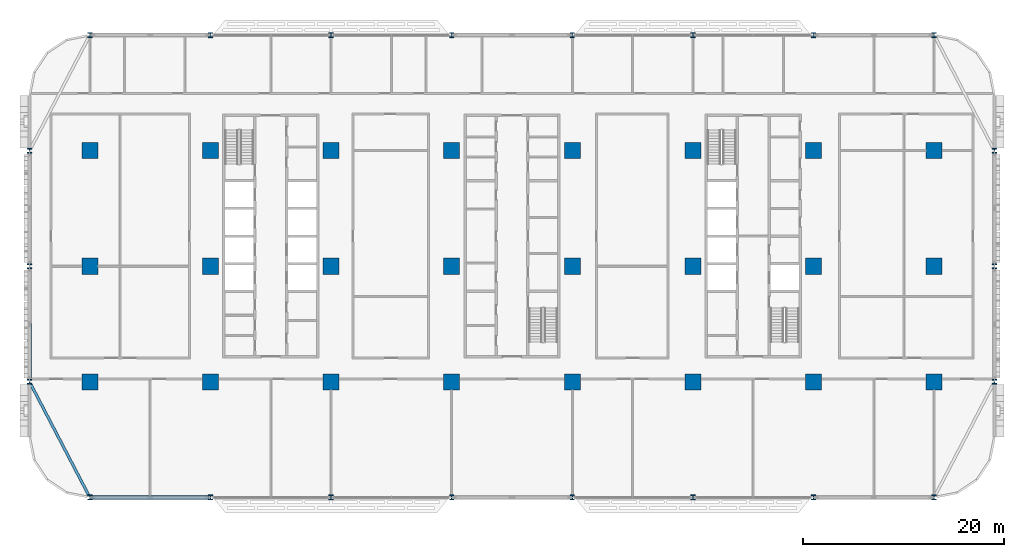
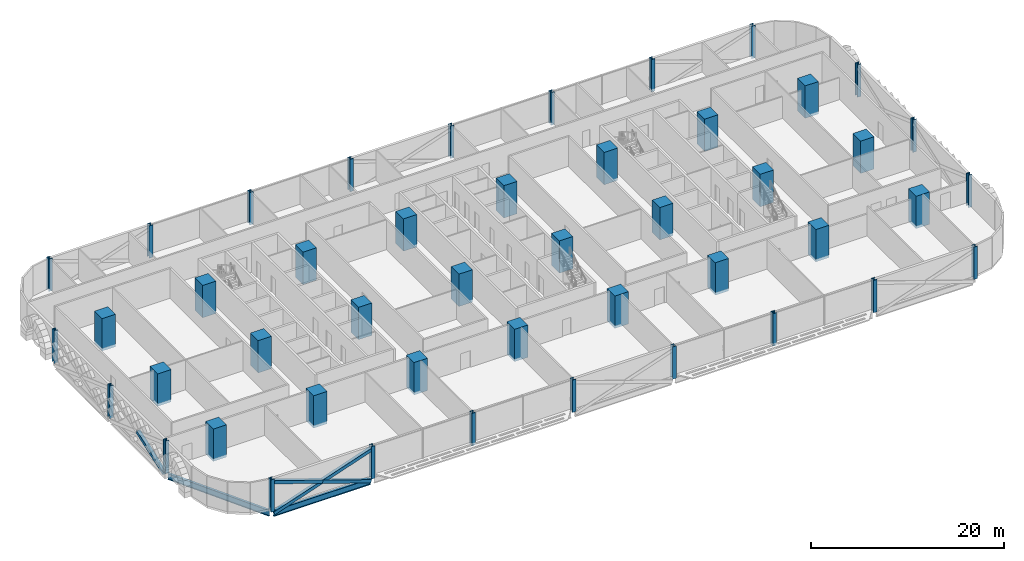
# One storey, part 1 of 29: 46 columns, 4 members, 2 beams.
"""IFC4 building model written with IfcOpenShell, lengths in metres."""

from ifc_helpers import new_model, si_unit, direction, frame, origin, origin_2d, place, context, subcontext, project, spatial, rectangle, hollow_rectangle, i_section, extrude, material, material_profile, profile_set, type_object, element, save


model = new_model("IFC4")

# Units and contexts
model_context = context("Model", 3, precision=1e-05, world=origin(), true_north=direction((0.0, 1.0)))
body_context = subcontext(model_context, "Body", "Model", "MODEL_VIEW")
ifc_project = project(units=[si_unit("LENGTHUNIT", "METRE"), si_unit("AREAUNIT", "SQUARE_METRE"), si_unit("VOLUMEUNIT", "CUBIC_METRE"), si_unit("PLANEANGLEUNIT", "RADIAN"), si_unit("MASSUNIT", "GRAM", prefix="KILO")], contexts=[model_context])

# Site, building, storey
site_placement = place(None, origin())
site = spatial("IfcSite", under=ifc_project, at=site_placement, CompositionType="ELEMENT")
building_placement = place(site_placement, origin())
building = spatial("IfcBuilding", under=site, at=building_placement, Name="Mahtab Terrace Research Tower", CompositionType="ELEMENT")
storey_placement = place(building_placement, frame((0.0, 0.0, 37.300048828125)))
storey = spatial("IfcBuildingStorey", under=building, at=storey_placement, Name="L08", CompositionType="ELEMENT", Elevation=37.300048828125)

# Columns
ifc_material_1 = material(Name="Concrete C70/85", Category="concrete")
ifc_material_profile_1 = material_profile(ifc_material_1, rectangle(XDim=1.60009765625, YDim=1.60009765625, at=origin_2d()), Name="RC column 1600x1600")
ifc_profile_set_1 = profile_set([ifc_material_profile_1], Name="Concrete C70/85")
column_type_1 = type_object("IfcColumnType", Name="RC column 1600x1600", PredefinedType="COLUMN", material=ifc_profile_set_1)
for number, where, z_axis, x_axis, name in (
    (1, (-42.0, -11.5, -0.340087890625), (0.0, 0.0, 1.0), (1.0, 0.0, 0.0), "Column RC-1A L08"),
    (2, (-42.0, 0.0, -0.340087890625), (0.0, 0.0, 1.0), (1.0, 0.0, 0.0), "Column RC-1B L08"),
    (3, (-42.0, 11.5, -0.340087890625), (0.0, 0.0, 1.0), (1.0, 0.0, 0.0), "Column RC-1C L08"),
    (4, (-30.0, -11.5, -0.340087890625), (0.0, 0.0, 1.0), (1.0, 0.0, 0.0), "Column RC-2A L08"),
    (5, (-30.0, 0.0, -0.340087890625), (0.0, 0.0, 1.0), (1.0, 0.0, 0.0), "Column RC-2B L08"),
    (6, (-30.0, 11.5, -0.340087890625), (0.0, 0.0, 1.0), (1.0, 0.0, 0.0), "Column RC-2C L08"),
    (7, (-18.0, -11.5, -0.340087890625), (0.0, 0.0, 1.0), (1.0, 0.0, 0.0), "Column RC-3A L08"),
    (8, (-18.0, 0.0, -0.340087890625), (0.0, 0.0, 1.0), (1.0, 0.0, 0.0), "Column RC-3B L08"),
    (9, (-18.0, 11.5, -0.340087890625), (0.0, 0.0, 1.0), (1.0, 0.0, 0.0), "Column RC-3C L08"),
    (10, (-6.0, -11.5, -0.340087890625), (0.0, 0.0, 1.0), (1.0, 0.0, 0.0), "Column RC-4A L08"),
    (11, (-6.0, 0.0, -0.340087890625), (0.0, 0.0, 1.0), (1.0, 0.0, 0.0), "Column RC-4B L08"),
    (12, (-6.0, 11.5, -0.340087890625), (0.0, 0.0, 1.0), (1.0, 0.0, 0.0), "Column RC-4C L08"),
    (13, (6.0, -11.5, -0.340087890625), (0.0, 0.0, 1.0), (1.0, 0.0, 0.0), "Column RC-5A L08"),
    (14, (6.0, 0.0, -0.340087890625), (0.0, 0.0, 1.0), (1.0, 0.0, 0.0), "Column RC-5B L08"),
    (15, (6.0, 11.5, -0.340087890625), (0.0, 0.0, 1.0), (1.0, 0.0, 0.0), "Column RC-5C L08"),
    (16, (18.0, -11.5, -0.340087890625), (0.0, 0.0, 1.0), (1.0, 0.0, 0.0), "Column RC-6A L08"),
    (17, (18.0, 0.0, -0.340087890625), (0.0, 0.0, 1.0), (1.0, 0.0, 0.0), "Column RC-6B L08"),
    (18, (18.0, 11.5, -0.340087890625), (0.0, 0.0, 1.0), (1.0, 0.0, 0.0), "Column RC-6C L08"),
    (19, (30.0, -11.5, -0.340087890625), (0.0, 0.0, 1.0), (1.0, 0.0, 0.0), "Column RC-7A L08"),
    (20, (30.0, 0.0, -0.340087890625), (0.0, 0.0, 1.0), (1.0, 0.0, 0.0), "Column RC-7B L08"),
    (21, (30.0, 11.5, -0.340087890625), (0.0, 0.0, 1.0), (1.0, 0.0, 0.0), "Column RC-7C L08"),
    (22, (42.0, -11.5, -0.340087890625), (0.0, 0.0, 1.0), (1.0, 0.0, 0.0), "Column RC-8A L08"),
    (23, (42.0, 0.0, -0.340087890625), (0.0, 0.0, 1.0), (1.0, 0.0, 0.0), "Column RC-8B L08"),
    (24, (42.0, 11.5, -0.340087890625), (0.0, 0.0, 1.0), (1.0, 0.0, 0.0), "Column RC-8C L08"),
):
    element("IfcColumn", number, at=place(storey_placement, frame(where, z_axis=z_axis, x_axis=x_axis)), inside=storey, type_object=column_type_1, Name=name, PredefinedType="COLUMN", context=body_context, shape_type="SweptSolid", body=[
        extrude(rectangle(XDim=1.60009765625, YDim=1.60009765625, at=origin_2d()), origin(), (0.0, 0.0, 1.0), 4.090087890625),
    ])
ifc_material_2 = material(Name="Steel ASTM A992 Gr 50", Category="steel")
ifc_material_profile_2 = material_profile(ifc_material_2, i_section(OverallWidth=0.431884765625, OverallDepth=0.497802734375, WebThickness=0.0556640625, FlangeThickness=0.0888671875, at=origin_2d()), Name="W14X500")
ifc_profile_set_2 = profile_set([ifc_material_profile_2], Name="Steel ASTM A992 Gr 50")
column_type_2 = type_object("IfcColumnType", Name="W14x500 column CS14500", PredefinedType="COLUMN", material=ifc_profile_set_2)
for number, where, z_axis, x_axis, name in (
    (25, (42.0, 23.0, -0.340087890625), (0.0, 0.0, 1.0), (1.0, 0.0, 0.0), "Column SC-001 L08"),
    (26, (30.0, 23.0, -0.340087890625), (0.0, 0.0, 1.0), (1.0, 0.0, 0.0), "Column SC-002 L08"),
    (27, (18.0, 23.0, -0.340087890625), (0.0, 0.0, 1.0), (1.0, 0.0, 0.0), "Column SC-003 L08"),
    (28, (6.0, 23.0, -0.340087890625), (0.0, 0.0, 1.0), (1.0, 0.0, 0.0), "Column SC-004 L08"),
    (29, (-6.0, 23.0, -0.340087890625), (0.0, 0.0, 1.0), (1.0, 0.0, 0.0), "Column SC-005 L08"),
    (30, (-18.0, 23.0, -0.340087890625), (0.0, 0.0, 1.0), (1.0, 0.0, 0.0), "Column SC-006 L08"),
    (31, (-30.0, 23.0, -0.340087890625), (0.0, 0.0, 1.0), (1.0, 0.0, 0.0), "Column SC-007 L08"),
    (32, (-42.0, 23.0, -0.340087890625), (0.0, 0.0, 1.0), (1.0, 0.0, 0.0), "Column SC-008 L08"),
    (33, (-48.0, 11.5, -0.340087890625), (0.0, 0.0, 1.0), (1.0, 0.0, 0.0), "Column SC-009 L08"),
    (34, (-48.0, 0.0, -0.340087890625), (0.0, 0.0, 1.0), (1.0, 0.0, 0.0), "Column SC-010 L08"),
    (35, (-48.0, -11.5, -0.340087890625), (0.0, 0.0, 1.0), (1.0, 0.0, 0.0), "Column SC-011 L08"),
    (36, (-42.0, -23.0, -0.340087890625), (0.0, 0.0, 1.0), (1.0, 0.0, 0.0), "Column SC-012 L08"),
    (37, (-30.0, -23.0, -0.340087890625), (0.0, 0.0, 1.0), (1.0, 0.0, 0.0), "Column SC-013 L08"),
    (38, (-18.0, -23.0, -0.340087890625), (0.0, 0.0, 1.0), (1.0, 0.0, 0.0), "Column SC-014 L08"),
    (39, (-6.0, -23.0, -0.340087890625), (0.0, 0.0, 1.0), (1.0, 0.0, 0.0), "Column SC-015 L08"),
    (40, (6.0, -23.0, -0.340087890625), (0.0, 0.0, 1.0), (1.0, 0.0, 0.0), "Column SC-016 L08"),
    (41, (18.0, -23.0, -0.340087890625), (0.0, 0.0, 1.0), (1.0, 0.0, 0.0), "Column SC-017 L08"),
    (42, (30.0, -23.0, -0.340087890625), (0.0, 0.0, 1.0), (1.0, 0.0, 0.0), "Column SC-018 L08"),
    (43, (42.0, -23.0, -0.340087890625), (0.0, 0.0, 1.0), (1.0, 0.0, 0.0), "Column SC-019 L08"),
    (44, (48.0, -11.5, -0.340087890625), (0.0, 0.0, 1.0), (1.0, 0.0, 0.0), "Column SC-020 L08"),
    (45, (48.0, 0.0, -0.340087890625), (0.0, 0.0, 1.0), (1.0, 0.0, 0.0), "Column SC-021 L08"),
    (46, (48.0, 11.5, -0.340087890625), (0.0, 0.0, 1.0), (1.0, 0.0, 0.0), "Column SC-022 L08"),
):
    element("IfcColumn", number, at=place(storey_placement, frame(where, z_axis=z_axis, x_axis=x_axis)), inside=storey, type_object=column_type_2, Name=name, PredefinedType="COLUMN", context=body_context, shape_type="SweptSolid", body=[
        extrude(i_section(OverallWidth=0.431884765625, OverallDepth=0.497802734375, WebThickness=0.0556640625, FlangeThickness=0.0888671875, at=origin_2d()), origin(), (0.0, 0.0, 1.0), 4.090087890625),
    ])

# Members
ifc_material_3 = material(Name="Steel ASTM A500 Gr C", Category="steel")
ifc_material_profile_3 = material_profile(ifc_material_3, hollow_rectangle(XDim=0.406494140625, YDim=0.406494140625, WallThickness=0.01904296875, at=origin_2d()), Name="HSS16X16X3/4")
ifc_profile_set_3 = profile_set([ifc_material_profile_3], Name="Steel ASTM A500 Gr C")
member_type = type_object("IfcMemberType", Name="HSS 16x16x3/4 brace XB161634", PredefinedType="BRACE", material=ifc_profile_set_3)
member_1_placement = place(storey_placement, frame((-48.0, -11.251220703125, -0.6298828125), z_axis=(0.0, 0.942197970783, 0.33505668752), x_axis=(-1.0, 0.0, 0.0)))
element("IfcMember", 47, at=member_1_placement, inside=storey, type_object=member_type, Name="Exoskeleton brace L08 10 b1", PredefinedType="BRACE", context=body_context, shape_type="SweptSolid", body=[
    extrude(hollow_rectangle(XDim=0.406494140625, YDim=0.406494140625, WallThickness=0.01904296875, at=origin_2d()), origin(), (0.0, 0.0, 1.0), 5.838623046875),
])
member_2_placement = place(storey_placement, frame((-41.7841796875, -23.0, -0.64501953125), z_axis=(0.946532370982, 0.0, 0.322608850907), x_axis=(0.0, 1.0, 0.0)))
element("IfcMember", 48, at=member_2_placement, inside=storey, type_object=member_type, Name="Exoskeleton brace L08 12 a", PredefinedType="BRACE", context=body_context, shape_type="SweptSolid", body=[
    extrude(hollow_rectangle(XDim=0.406494140625, YDim=0.406494140625, WallThickness=0.01904296875, at=origin_2d()), origin(), (0.0, 0.0, 1.0), 12.221923828125),
])
for number, where, z_axis, x_axis, name in (
    (49, (-30.2158203125, -23.0, -0.64501953125), (-0.946532370982, 0.0, 0.322608850907), (0.0, -1.0, 0.0), "Exoskeleton brace L08 12 b1"),
    (50, (-36.0, -23.0, 1.326416015625), (-0.946532370982, 0.0, 0.322608850907), (0.0, -1.0, 0.0), "Exoskeleton brace L08 12 b2"),
):
    element("IfcMember", number, at=place(storey_placement, frame(where, z_axis=z_axis, x_axis=x_axis)), inside=storey, type_object=member_type, Name=name, PredefinedType="BRACE", context=body_context, shape_type="SweptSolid", body=[
        extrude(hollow_rectangle(XDim=0.406494140625, YDim=0.406494140625, WallThickness=0.01904296875, at=origin_2d()), origin(), (0.0, 0.0, 1.0), 6.11083984375),
    ])

# Beams
ifc_material_profile_4 = material_profile(ifc_material_2, i_section(OverallWidth=0.2666015625, OverallDepth=0.7568359375, WebThickness=0.013916015625, FlangeThickness=0.019287109375, at=origin_2d()), Name="W30X108")
ifc_profile_set_4 = profile_set([ifc_material_profile_4], Name="Steel ASTM A992 Gr 50")
beam_type = type_object("IfcBeamType", Name="W30x108 beam BS30108", PredefinedType="BEAM", material=ifc_profile_set_4)
beam_1_placement = place(storey_placement, frame((-47.8701171875, -11.748779296875, -0.718505859375), z_axis=(0.462555249274, -0.88659045865, 0.0), x_axis=(0.88659045865, 0.462555249274, 0.0)))
element("IfcBeam", 51, at=beam_1_placement, inside=storey, type_object=beam_type, Name="Spandrel beam L08 11", PredefinedType="BEAM", context=body_context, shape_type="SweptSolid", body=[
    extrude(i_section(OverallWidth=0.2666015625, OverallDepth=0.7568359375, WebThickness=0.013916015625, FlangeThickness=0.019287109375, at=origin_2d()), origin(), (0.0, 0.0, 1.0), 12.409912109375),
])
beam_2_placement = place(storey_placement, frame((-41.7841796875, -23.0, -0.718505859375), z_axis=(1.0, 0.0, 0.0), x_axis=(0.0, 1.0, 0.0)))
element("IfcBeam", 52, at=beam_2_placement, inside=storey, type_object=beam_type, Name="Spandrel beam L08 12", PredefinedType="BEAM", context=body_context, shape_type="SweptSolid", body=[
    extrude(i_section(OverallWidth=0.2666015625, OverallDepth=0.7568359375, WebThickness=0.013916015625, FlangeThickness=0.019287109375, at=origin_2d()), origin(), (0.0, 0.0, 1.0), 11.568359375),
])

save(model, "model.ifc")
